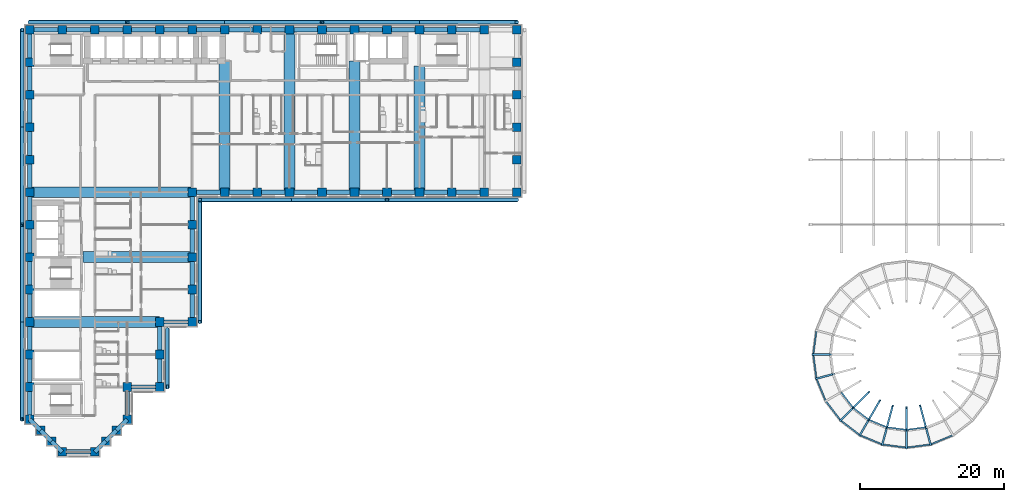
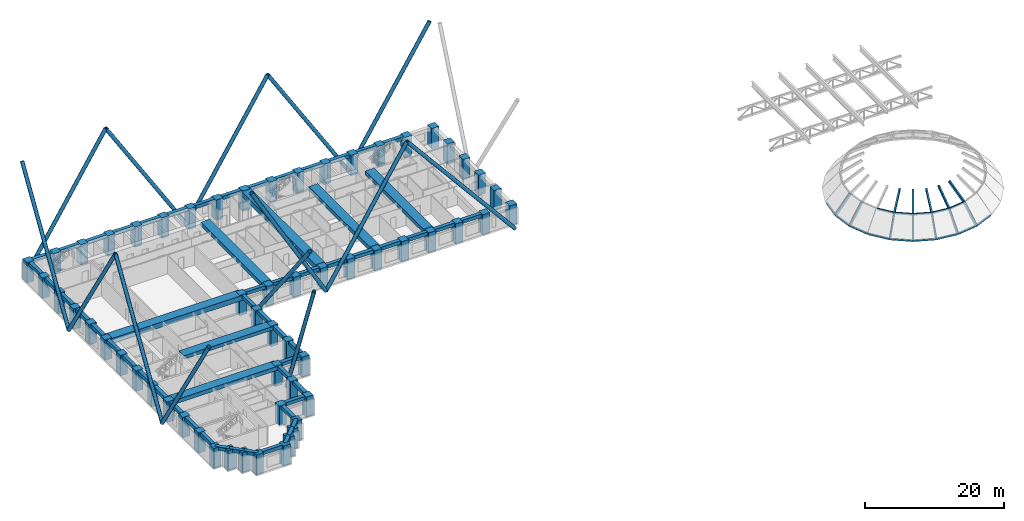
# One storey, part 1 of 20: 84 beams, 58 columns, 14 members.
"""IFC4 building model written with IfcOpenShell, lengths in metres."""

import ifcopenshell
import ifcopenshell.guid

model = None  # the IFC model being written
_history = None  # IfcOwnerHistory: only IFC2X3 demands one
_inside = {}  # id of a spatial element -> (the spatial element, [elements in it])
_under = {}  # id of a project, library or spatial element -> (it, [spatial elements below it])
_declared = {}  # id of a project -> (the project, [libraries it declares])
_typed = {}  # id of a type object -> (the type object, [elements of that type])
_made_of = {}  # id of a material, layer set ... -> (it, [elements and type objects made of it])


def new_model(schema):
    """Start an empty IFC model of exactly this schema.

    Asked for "IFC4X3", IfcOpenShell would pick the latest addendum, in which some entities
    have other attributes; the version numbers below select the first issue.
    IFC2X3 requires an IfcOwnerHistory on every rooted entity: one is made here for all.
    """
    global model, _history
    if schema == "IFC4X3":
        model = ifcopenshell.file(schema_version=(4, 3, 0, 0))
    else:
        model = ifcopenshell.file(schema=schema)
    _inside.clear()
    _under.clear()
    _declared.clear()
    _typed.clear()
    _made_of.clear()
    _history = None
    if model.schema == "IFC2X3":
        org = make("IfcOrganization", Name="unknown")
        user = make(
            "IfcPersonAndOrganization",
            ThePerson=make("IfcPerson", FamilyName="unknown"),
            TheOrganization=org,
        )
        app = make(
            "IfcApplication",
            ApplicationDeveloper=org,
            Version="unknown",
            ApplicationFullName="unknown",
            ApplicationIdentifier="unknown",
        )
        _history = make(
            "IfcOwnerHistory",
            OwningUser=user,
            OwningApplication=app,
            ChangeAction="ADDED",
            CreationDate=0,
        )
    return model


def make(cls, **values):
    """One entity of the class cls with the attributes given. An attribute that is None is left unset."""
    return model.create_entity(
        cls, **{name: value for name, value in values.items() if value is not None}
    )


def rooted(cls, **values):
    """An entity with a GlobalId (a new one), such as an element, a storey or a relation."""
    return make(cls, GlobalId=ifcopenshell.guid.new(), OwnerHistory=_history, **values)


def si_unit(unit_type, name, prefix=None):
    """IfcSIUnit, for example si_unit("LENGTHUNIT", "METRE", prefix="MILLI")."""
    return make("IfcSIUnit", UnitType=unit_type, Prefix=prefix, Name=name)


def assignment(units):
    """IfcUnitAssignment: the units of a project."""
    return None if units is None else make("IfcUnitAssignment", Units=units)


def point(xyz):
    """IfcCartesianPoint."""
    return None if xyz is None else make("IfcCartesianPoint", Coordinates=xyz)


def direction(xyz):
    """IfcDirection."""
    return None if xyz is None else make("IfcDirection", DirectionRatios=xyz)


def frame(location, z_axis=None, x_axis=None):
    """IfcAxis2Placement3D, a coordinate frame: its origin and axes. An axis left out is left unset."""
    return make(
        "IfcAxis2Placement3D",
        Location=point(location),
        Axis=direction(z_axis),
        RefDirection=direction(x_axis),
    )


def frame_2d(location, x_axis=None):
    """IfcAxis2Placement2D, a coordinate frame in the plane: its origin and x axis."""
    return make(
        "IfcAxis2Placement2D", Location=point(location), RefDirection=direction(x_axis)
    )


def origin():
    """The frame at (0, 0, 0) with its axes left unset."""
    return frame((0.0, 0.0, 0.0))


def origin_2d():
    """The frame at (0, 0) in the plane with its x axis left unset."""
    return frame_2d((0.0, 0.0))


def place(relative_to, where):
    """IfcLocalPlacement: puts the frame where relative to a parent placement (None: the world)."""
    return make(
        "IfcLocalPlacement", PlacementRelTo=relative_to, RelativePlacement=where
    )


def context(
    kind, dimensions, precision=None, world=None, true_north=None, identifier=None
):
    """IfcGeometricRepresentationContext, for example the 3D "Model" context."""
    return make(
        "IfcGeometricRepresentationContext",
        ContextIdentifier=identifier,
        ContextType=kind,
        CoordinateSpaceDimension=dimensions,
        Precision=precision,
        WorldCoordinateSystem=world,
        TrueNorth=true_north,
    )


def subcontext(parent, identifier, kind, view, scale=None):
    """IfcGeometricRepresentationSubContext, for example "Body" below "Model"."""
    return make(
        "IfcGeometricRepresentationSubContext",
        ContextIdentifier=identifier,
        ContextType=kind,
        ParentContext=parent,
        TargetScale=scale,
        TargetView=view,
    )


def project(units=None, contexts=None):
    """IfcProject with its units and contexts."""
    return rooted(
        "IfcProject",
        Name="project",
        RepresentationContexts=contexts,
        UnitsInContext=assignment(units),
    )


def spatial(cls, under=None, at=None, **own):
    """A site, building, storey or space (cls), placed at a placement, below another one or the project."""
    s = rooted(cls, ObjectPlacement=at, **own)
    if under is not None:
        _under.setdefault(under.id(), (under, []))[1].append(s)
    return s


def profile(cls, at=None, kind="AREA", **sizes):
    """A parametric profile (cls). Its sizes go by their IFC names, for example OverallWidth=200.0."""
    return make(cls, ProfileType=kind, Position=at, **sizes)


def rectangle(**sizes):
    """IfcRectangleProfileDef."""
    return profile("IfcRectangleProfileDef", **sizes)


def hollow_rectangle(**sizes):
    """IfcRectangleHollowProfileDef."""
    return profile("IfcRectangleHollowProfileDef", **sizes)


def hollow_circle(**sizes):
    """IfcCircleHollowProfileDef."""
    return profile("IfcCircleHollowProfileDef", **sizes)


def extrude(swept, where, along, depth):
    """IfcExtrudedAreaSolid: the profile swept, set in the frame where, extruded along a direction by depth."""
    return make(
        "IfcExtrudedAreaSolid",
        SweptArea=swept,
        Position=where,
        ExtrudedDirection=direction(along),
        Depth=depth,
    )


def shape(context_of_items, identifier, shape_type, items):
    """IfcShapeRepresentation: the items that make up one representation, for example the "Body"."""
    return make(
        "IfcShapeRepresentation",
        ContextOfItems=context_of_items,
        RepresentationIdentifier=identifier,
        RepresentationType=shape_type,
        Items=items,
    )


def material(Name=None, Category=None):
    """IfcMaterial."""
    return make("IfcMaterial", Name=Name, Category=Category)


def material_profile(
    of_material, cross_section, Name=None, Category=None, Priority=None
):
    """IfcMaterialProfile: a cross section and its material."""
    return make(
        "IfcMaterialProfile",
        Name=Name,
        Material=of_material,
        Profile=cross_section,
        Priority=Priority,
        Category=Category,
    )


def profile_set(profiles, Name=None, composite=None):
    """IfcMaterialProfileSet."""
    return make(
        "IfcMaterialProfileSet",
        Name=Name,
        MaterialProfiles=profiles,
        CompositeProfile=composite,
    )


def made_of(thing, what):
    """Note that an element or type object is made of a material, layer set ...; save() writes the relation."""
    if what is not None:
        _made_of.setdefault(what.id(), (what, []))[1].append(thing)
    return thing


def type_object(cls, material=None, **own):
    """A type object (cls), such as IfcWallType, which elements share."""
    return made_of(rooted(cls, **own), material)


def element(
    cls,
    number,
    at=None,
    inside=None,
    cuts=None,
    type_object=None,
    material=None,
    context=None,
    identifier="Body",
    shape_type=None,
    held_by="IfcProductDefinitionShape",
    body=None,
    shapes=None,
    **own,
):
    """One element of the class cls, such as IfcWall. Its Tag is "e" and its number.

    at: its placement. inside: the storey or other place that contains it. cuts: it is an
    opening in that element (IfcRelVoidsElement). A single representation is given by context,
    identifier, shape_type and body (its items); several are given by shapes. held_by: the class
    of the entity that holds the representations. save() writes the other relations.
    """
    e = rooted(cls, Tag="e%d" % number, ObjectPlacement=at, **own)
    if body is not None:
        shapes = [shape(context, identifier, shape_type, body)]
    if shapes is not None:
        e.Representation = make(held_by, Representations=shapes)
    if inside is not None:
        _inside.setdefault(inside.id(), (inside, []))[1].append(e)
    if cuts is not None:
        rooted(
            "IfcRelVoidsElement", RelatingBuildingElement=cuts, RelatedOpeningElement=e
        )
    if type_object is not None:
        _typed.setdefault(type_object.id(), (type_object, []))[1].append(e)
    return made_of(e, material)


def aggregate(whole, parts):
    """IfcRelAggregates: a whole, such as a stair, and the parts it consists of."""
    return rooted("IfcRelAggregates", RelatingObject=whole, RelatedObjects=parts)


def save(model, path):
    """Write the relations noted so far, then the file.

    IfcRelAggregates (storeys below a building ...), IfcRelContainedInSpatialStructure (elements
    in a storey), IfcRelDefinesByType, IfcRelAssociatesMaterial and IfcRelDeclares: one each for
    every whole, place, type object, material and project.
    """
    for whole, parts in _under.values():
        aggregate(whole, parts)
    for where, things in _inside.values():
        rooted(
            "IfcRelContainedInSpatialStructure",
            RelatedElements=things,
            RelatingStructure=where,
        )
    for kind, things in _typed.values():
        rooted("IfcRelDefinesByType", RelatedObjects=things, RelatingType=kind)
    for what, things in _made_of.values():
        rooted("IfcRelAssociatesMaterial", RelatedObjects=things, RelatingMaterial=what)
    for by, libraries in _declared.values():
        rooted("IfcRelDeclares", RelatingContext=by, RelatedDefinitions=libraries)
    model.write(path)


model = new_model("IFC4")

# Units and contexts
model_context = context("Model", 3, precision=1e-05, world=origin(), true_north=direction((0.0, 1.0)))
body_context = subcontext(model_context, "Body", "Model", "MODEL_VIEW")
ifc_project = project(units=[si_unit("LENGTHUNIT", "METRE"), si_unit("AREAUNIT", "SQUARE_METRE"), si_unit("VOLUMEUNIT", "CUBIC_METRE"), si_unit("PLANEANGLEUNIT", "RADIAN"), si_unit("MASSUNIT", "GRAM", prefix="KILO")], contexts=[model_context])

# Site, building, storey
site_placement = place(None, origin())
site = spatial("IfcSite", under=ifc_project, at=site_placement, CompositionType="ELEMENT")
building_placement = place(site_placement, origin())
building = spatial("IfcBuilding", under=site, at=building_placement, Name="Firuza Court", CompositionType="ELEMENT")
storey_placement = place(building_placement, frame((0.0, 0.0, 29.0)))
storey = spatial("IfcBuildingStorey", under=building, at=storey_placement, Name="L05", CompositionType="ELEMENT", Elevation=29.0)

# Columns
ifc_material_1 = material(Name="Concrete C70/85", Category="concrete")
ifc_material_profile_1 = material_profile(ifc_material_1, rectangle(XDim=1.199951171875, YDim=1.199951171875, at=origin_2d()), Name="RC 1200x1200")
ifc_profile_set_1 = profile_set([ifc_material_profile_1], Name="Concrete C70/85")
column_type = type_object("IfcColumnType", Name="Tube column RC 1200x1200 C70/85", PredefinedType="COLUMN", material=ifc_profile_set_1)
for number, where, z_axis, x_axis, name in (
    (1, (4.5, 0.0, -0.300048828125), (0.0, 0.0, 1.0), (1.0, 0.0, 0.0), "Column C-2D L05"),
    (2, (9.0, 0.0, -0.300048828125), (0.0, 0.0, 1.0), (1.0, 0.0, 0.0), "Column C-3D L05"),
    (3, (3.0, 1.5, -0.300048828125), (0.0, 0.0, 1.0), (1.0, 0.0, 0.0), "Column C-SA1 L05"),
    (4, (10.5, 1.5, -0.300048828125), (0.0, 0.0, 1.0), (1.0, 0.0, 0.0), "Column C-SA2 L05"),
    (5, (1.5, 3.0, -0.300048828125), (0.0, 0.0, 1.0), (1.0, 0.0, 0.0), "Column C-SA3 L05"),
    (6, (12.0, 3.0, -0.300048828125), (0.0, 0.0, 1.0), (1.0, 0.0, 0.0), "Column C-SA4 L05"),
    (7, (0.0, 4.5, -0.300048828125), (0.0, 0.0, 1.0), (1.0, 0.0, 0.0), "Column C-1E L05"),
    (8, (13.5, 4.5, -0.300048828125), (0.0, 0.0, 1.0), (1.0, 0.0, 0.0), "Column C-4E L05"),
    (9, (0.0, 9.0, -0.300048828125), (0.0, 0.0, 1.0), (1.0, 0.0, 0.0), "Column C-1F L05"),
    (10, (13.5, 9.0, -0.300048828125), (0.0, 0.0, 1.0), (1.0, 0.0, 0.0), "Column C-4F L05"),
    (11, (18.0, 9.0, -0.300048828125), (0.0, 0.0, 1.0), (1.0, 0.0, 0.0), "Column C-5F L05"),
    (12, (0.0, 13.5, -0.300048828125), (0.0, 0.0, 1.0), (1.0, 0.0, 0.0), "Column C-1G L05"),
    (13, (18.0, 13.5, -0.300048828125), (0.0, 0.0, 1.0), (1.0, 0.0, 0.0), "Column C-5G L05"),
    (14, (0.0, 18.0, -0.300048828125), (0.0, 0.0, 1.0), (1.0, 0.0, 0.0), "Column C-1H L05"),
    (15, (18.0, 18.0, -0.300048828125), (0.0, 0.0, 1.0), (1.0, 0.0, 0.0), "Column C-5H L05"),
    (16, (22.5, 18.0, -0.300048828125), (0.0, 0.0, 1.0), (1.0, 0.0, 0.0), "Column C-6H L05"),
    (17, (0.0, 22.5, -0.300048828125), (0.0, 0.0, 1.0), (1.0, 0.0, 0.0), "Column C-1J L05"),
    (18, (22.5, 22.5, -0.300048828125), (0.0, 0.0, 1.0), (1.0, 0.0, 0.0), "Column C-6J L05"),
    (19, (0.0, 27.0, -0.300048828125), (0.0, 0.0, 1.0), (1.0, 0.0, 0.0), "Column C-1K L05"),
    (20, (22.5, 27.0, -0.300048828125), (0.0, 0.0, 1.0), (1.0, 0.0, 0.0), "Column C-6K L05"),
    (21, (0.0, 31.5, -0.300048828125), (0.0, 0.0, 1.0), (1.0, 0.0, 0.0), "Column C-1L L05"),
    (22, (22.5, 31.5, -0.300048828125), (0.0, 0.0, 1.0), (1.0, 0.0, 0.0), "Column C-6L L05"),
    (23, (0.0, 36.0, -0.300048828125), (0.0, 0.0, 1.0), (1.0, 0.0, 0.0), "Column C-1M L05"),
    (24, (22.5, 36.0, -0.300048828125), (0.0, 0.0, 1.0), (1.0, 0.0, 0.0), "Column C-6M L05"),
    (25, (27.0, 36.0, -0.300048828125), (0.0, 0.0, 1.0), (1.0, 0.0, 0.0), "Column C-7M L05"),
    (26, (31.5, 36.0, -0.300048828125), (0.0, 0.0, 1.0), (1.0, 0.0, 0.0), "Column C-8M L05"),
    (27, (36.0, 36.0, -0.300048828125), (0.0, 0.0, 1.0), (1.0, 0.0, 0.0), "Column C-9M L05"),
    (28, (40.5, 36.0, -0.300048828125), (0.0, 0.0, 1.0), (1.0, 0.0, 0.0), "Column C-10M L05"),
    (29, (45.0, 36.0, -0.300048828125), (0.0, 0.0, 1.0), (1.0, 0.0, 0.0), "Column C-11M L05"),
    (30, (49.5, 36.0, -0.300048828125), (0.0, 0.0, 1.0), (1.0, 0.0, 0.0), "Column C-12M L05"),
    (31, (54.0, 36.0, -0.300048828125), (0.0, 0.0, 1.0), (1.0, 0.0, 0.0), "Column C-13M L05"),
    (32, (58.5, 36.0, -0.300048828125), (0.0, 0.0, 1.0), (1.0, 0.0, 0.0), "Column C-14M L05"),
    (33, (63.0, 36.0, -0.300048828125), (0.0, 0.0, 1.0), (1.0, 0.0, 0.0), "Column C-15M L05"),
    (34, (67.5, 36.0, -0.300048828125), (0.0, 0.0, 1.0), (1.0, 0.0, 0.0), "Column C-16M L05"),
    (35, (0.0, 40.5, -0.300048828125), (0.0, 0.0, 1.0), (1.0, 0.0, 0.0), "Column C-1N L05"),
    (36, (67.5, 40.5, -0.300048828125), (0.0, 0.0, 1.0), (1.0, 0.0, 0.0), "Column C-16N L05"),
    (37, (0.0, 45.0, -0.300048828125), (0.0, 0.0, 1.0), (1.0, 0.0, 0.0), "Column C-1P L05"),
    (38, (67.5, 45.0, -0.300048828125), (0.0, 0.0, 1.0), (1.0, 0.0, 0.0), "Column C-16P L05"),
    (39, (0.0, 49.5, -0.300048828125), (0.0, 0.0, 1.0), (1.0, 0.0, 0.0), "Column C-1Q L05"),
    (40, (67.5, 49.5, -0.300048828125), (0.0, 0.0, 1.0), (1.0, 0.0, 0.0), "Column C-16Q L05"),
    (41, (0.0, 54.0, -0.300048828125), (0.0, 0.0, 1.0), (1.0, 0.0, 0.0), "Column C-1R L05"),
    (42, (67.5, 54.0, -0.300048828125), (0.0, 0.0, 1.0), (1.0, 0.0, 0.0), "Column C-16R L05"),
    (43, (0.0, 58.5, -0.300048828125), (0.0, 0.0, 1.0), (1.0, 0.0, 0.0), "Column C-1S L05"),
    (44, (4.5, 58.5, -0.300048828125), (0.0, 0.0, 1.0), (1.0, 0.0, 0.0), "Column C-2S L05"),
    (45, (9.0, 58.5, -0.300048828125), (0.0, 0.0, 1.0), (1.0, 0.0, 0.0), "Column C-3S L05"),
    (46, (13.5, 58.5, -0.300048828125), (0.0, 0.0, 1.0), (1.0, 0.0, 0.0), "Column C-4S L05"),
    (47, (18.0, 58.5, -0.300048828125), (0.0, 0.0, 1.0), (1.0, 0.0, 0.0), "Column C-5S L05"),
    (48, (22.5, 58.5, -0.300048828125), (0.0, 0.0, 1.0), (1.0, 0.0, 0.0), "Column C-6S L05"),
    (49, (27.0, 58.5, -0.300048828125), (0.0, 0.0, 1.0), (1.0, 0.0, 0.0), "Column C-7S L05"),
    (50, (31.5, 58.5, -0.300048828125), (0.0, 0.0, 1.0), (1.0, 0.0, 0.0), "Column C-8S L05"),
    (51, (36.0, 58.5, -0.300048828125), (0.0, 0.0, 1.0), (1.0, 0.0, 0.0), "Column C-9S L05"),
    (52, (40.5, 58.5, -0.300048828125), (0.0, 0.0, 1.0), (1.0, 0.0, 0.0), "Column C-10S L05"),
    (53, (45.0, 58.5, -0.300048828125), (0.0, 0.0, 1.0), (1.0, 0.0, 0.0), "Column C-11S L05"),
    (54, (49.5, 58.5, -0.300048828125), (0.0, 0.0, 1.0), (1.0, 0.0, 0.0), "Column C-12S L05"),
    (55, (54.0, 58.5, -0.300048828125), (0.0, 0.0, 1.0), (1.0, 0.0, 0.0), "Column C-13S L05"),
    (56, (58.5, 58.5, -0.300048828125), (0.0, 0.0, 1.0), (1.0, 0.0, 0.0), "Column C-14S L05"),
    (57, (63.0, 58.5, -0.300048828125), (0.0, 0.0, 1.0), (1.0, 0.0, 0.0), "Column C-15S L05"),
    (58, (67.5, 58.5, -0.300048828125), (0.0, 0.0, 1.0), (1.0, 0.0, 0.0), "Column C-16S L05"),
):
    element("IfcColumn", number, at=place(storey_placement, frame(where, z_axis=z_axis, x_axis=x_axis)), inside=storey, type_object=column_type, Name=name, PredefinedType="COLUMN", context=body_context, shape_type="SweptSolid", body=[
        extrude(rectangle(XDim=1.199951171875, YDim=1.199951171875, at=origin_2d()), origin(), (0.0, 0.0, 1.0), 3.60009765625),
    ])

# Beams
ifc_material_2 = material(Name="Concrete C40/50", Category="concrete")
ifc_material_profile_2 = material_profile(ifc_material_2, rectangle(XDim=1.5, YDim=0.60009765625, at=origin_2d()), Name="RC 1500x600")
ifc_profile_set_2 = profile_set([ifc_material_profile_2], Name="Concrete C40/50")
beam_type_1 = type_object("IfcBeamType", Name="Band beam RC 1500x600 C40/50", PredefinedType="BEAM", material=ifc_profile_set_2)
beam_1_placement = place(storey_placement, frame((22.5, 27.0, 3.0), z_axis=(-1.0, 0.0, 0.0), x_axis=(0.0, -1.0, 0.0)))
element("IfcBeam", 59, at=beam_1_placement, inside=storey, type_object=beam_type_1, Name="Band beam FB3 level L06", PredefinedType="BEAM", context=body_context, shape_type="SweptSolid", body=[
    extrude(rectangle(XDim=1.5, YDim=0.60009765625, at=origin_2d()), origin(), (0.0, 0.0, 1.0), 15.14990234375),
])
ifc_material_3 = material(Name="Concrete C40/50", Category="concrete")
ifc_material_profile_3 = material_profile(ifc_material_3, rectangle(XDim=1.5, YDim=0.699951171875, at=origin_2d()), Name="RC 1500x700")
ifc_profile_set_3 = profile_set([ifc_material_profile_3], Name="Concrete C40/50")
beam_type_2 = type_object("IfcBeamType", Name="Band beam RC 1500x700 C40/50", PredefinedType="BEAM", material=ifc_profile_set_3)
beam_2_placement = place(storey_placement, frame((0.0, 18.0, 2.949951171875), z_axis=(1.0, 0.0, 0.0), x_axis=(0.0, 1.0, 0.0)))
element("IfcBeam", 60, at=beam_2_placement, inside=storey, type_object=beam_type_2, Name="Band beam FB1 level L06", PredefinedType="BEAM", context=body_context, shape_type="SweptSolid", body=[
    extrude(rectangle(XDim=1.5, YDim=0.699951171875, at=origin_2d()), origin(), (0.0, 0.0, 1.0), 18.0),
])
for number, where, z_axis, x_axis, name in (
    (61, (27.0, 36.0, 2.949951171875), (0.0, 1.0, 0.0), (-1.0, 0.0, 0.0), "Band beam FB1 level L06"),
    (62, (45.0, 36.0, 2.949951171875), (0.0, 1.0, 0.0), (-1.0, 0.0, 0.0), "Band beam FB1 level L06"),
):
    element("IfcBeam", number, at=place(storey_placement, frame(where, z_axis=z_axis, x_axis=x_axis)), inside=storey, type_object=beam_type_2, Name=name, PredefinedType="BEAM", context=body_context, shape_type="SweptSolid", body=[
        extrude(rectangle(XDim=1.5, YDim=0.699951171875, at=origin_2d()), origin(), (0.0, 0.0, 1.0), 18.199951171875),
    ])
beam_3_placement = place(storey_placement, frame((54.0, 36.0, 2.949951171875), z_axis=(0.0, 1.0, 0.0), x_axis=(-1.0, 0.0, 0.0)))
element("IfcBeam", 63, at=beam_3_placement, inside=storey, type_object=beam_type_2, Name="Band beam FB1 level L06", PredefinedType="BEAM", context=body_context, shape_type="SweptSolid", body=[
    extrude(rectangle(XDim=1.5, YDim=0.699951171875, at=origin_2d()), origin(), (0.0, 0.0, 1.0), 17.5),
])
ifc_material_4 = material(Name="Concrete C40/50", Category="concrete")
ifc_material_profile_4 = material_profile(ifc_material_4, rectangle(XDim=1.5, YDim=0.89990234375, at=origin_2d()), Name="RC 1500x900")
ifc_profile_set_4 = profile_set([ifc_material_profile_4], Name="Concrete C40/50")
beam_type_3 = type_object("IfcBeamType", Name="Band beam RC 1500x900 C40/50", PredefinedType="BEAM", material=ifc_profile_set_4)
for number, where, z_axis, x_axis, name in (
    (64, (0.0, 36.0, 2.85009765625), (1.0, 0.0, 0.0), (0.0, 1.0, 0.0), "Band beam FB2 level L06"),
    (65, (36.0, 36.0, 2.85009765625), (0.0, 1.0, 0.0), (-1.0, 0.0, 0.0), "Band beam FB2 level L06"),
):
    element("IfcBeam", number, at=place(storey_placement, frame(where, z_axis=z_axis, x_axis=x_axis)), inside=storey, type_object=beam_type_3, Name=name, PredefinedType="BEAM", context=body_context, shape_type="SweptSolid", body=[
        extrude(rectangle(XDim=1.5, YDim=0.89990234375, at=origin_2d()), origin(), (0.0, 0.0, 1.0), 22.5),
    ])
ifc_material_5 = material(Name="Steel S355", Category="steel")
ifc_material_profile_5 = material_profile(ifc_material_5, hollow_rectangle(XDim=0.25, YDim=0.39990234375, WallThickness=0.01611328125, at=origin_2d()), Name="RHS 400X250X16")
ifc_profile_set_5 = profile_set([ifc_material_profile_5], Name="Steel S355")
beam_type_4 = type_object("IfcBeamType", Name="DOME RIB 250X400", PredefinedType="BEAM", material=ifc_profile_set_5)
for number, where, z_axis, x_axis, name in (
    (66, (108.589599609375, 13.5, 0.427978515625), (0.645219939947, 0.0, 0.763996877674), (0.0, 1.0, 0.0), "RIB 13.1"),
    (67, (109.029541015625, 10.158447265625, 0.427978515625), (0.623254932935, 0.167026931991, 0.763973358542), (-0.25885703941, 0.965915644944, 0.0), "RIB 14.1"),
):
    element("IfcBeam", number, at=place(storey_placement, frame(where, z_axis=z_axis, x_axis=x_axis)), inside=storey, type_object=beam_type_4, Name=name, PredefinedType="BEAM", context=body_context, shape_type="SweptSolid", body=[
        extrude(hollow_rectangle(XDim=0.25, YDim=0.39990234375, WallThickness=0.01611328125, at=origin_2d()), origin(), (0.0, 0.0, 1.0), 3.8046875),
    ])
beam_4_placement = place(storey_placement, frame((112.370849609375, 4.370849609375, 0.427978515625), z_axis=(0.456278393703, 0.456278393703, 0.76395029608), x_axis=(-0.707106781187, 0.707106781187, 0.0)))
element("IfcBeam", 68, at=beam_4_placement, inside=storey, type_object=beam_type_4, Name="RIB 16.1", PredefinedType="BEAM", context=body_context, shape_type="SweptSolid", body=[
    extrude(hollow_rectangle(XDim=0.25, YDim=0.39990234375, WallThickness=0.01611328125, at=origin_2d()), origin(), (0.0, 0.0, 1.0), 3.804931640625),
])
beam_5_placement = place(storey_placement, frame((114.11962890625, 6.11962890625, 3.3515625), z_axis=(0.575088247108, 0.575088247108, 0.58184793209), x_axis=(-0.707106781187, 0.707106781187, 0.0)))
element("IfcBeam", 69, at=beam_5_placement, inside=storey, type_object=beam_type_4, Name="RIB 16.2", PredefinedType="BEAM", context=body_context, shape_type="SweptSolid", body=[
    extrude(hollow_rectangle(XDim=0.25, YDim=0.39990234375, WallThickness=0.01611328125, at=origin_2d()), origin(), (0.0, 0.0, 1.0), 3.792236328125),
])
beam_6_placement = place(storey_placement, frame((115.044677734375, 2.3193359375, 0.427978515625), z_axis=(0.322637389463, 0.558776131154, 0.763985831134), x_axis=(-0.866006720078, 0.500032359733, 0.0)))
element("IfcBeam", 70, at=beam_6_placement, inside=storey, type_object=beam_type_4, Name="RIB 17.1", PredefinedType="BEAM", context=body_context, shape_type="SweptSolid", body=[
    extrude(hollow_rectangle(XDim=0.25, YDim=0.39990234375, WallThickness=0.01611328125, at=origin_2d()), origin(), (0.0, 0.0, 1.0), 3.8046875),
])
beam_7_placement = place(storey_placement, frame((116.28125, 4.4609375, 3.3515625), z_axis=(0.406664575717, 0.704340212589, 0.581832267743), x_axis=(-0.866018181901, 0.500012508461, 0.0)))
element("IfcBeam", 71, at=beam_7_placement, inside=storey, type_object=beam_type_4, Name="RIB 17.2", PredefinedType="BEAM", context=body_context, shape_type="SweptSolid", body=[
    extrude(hollow_rectangle(XDim=0.25, YDim=0.39990234375, WallThickness=0.01611328125, at=origin_2d()), origin(), (0.0, 0.0, 1.0), 3.79248046875),
])
beam_8_placement = place(storey_placement, frame((118.158447265625, 1.029541015625, 0.427978515625), z_axis=(0.167026931991, 0.623254932935, 0.763973358542), x_axis=(-0.965915644944, 0.25885703941, 0.0)))
element("IfcBeam", 72, at=beam_8_placement, inside=storey, type_object=beam_type_4, Name="RIB 18.1", PredefinedType="BEAM", context=body_context, shape_type="SweptSolid", body=[
    extrude(hollow_rectangle(XDim=0.25, YDim=0.39990234375, WallThickness=0.01611328125, at=origin_2d()), origin(), (0.0, 0.0, 1.0), 3.8046875),
])
beam_9_placement = place(storey_placement, frame((118.798583984375, 3.418212890625, 3.3515625), z_axis=(0.210511920504, 0.78558928621, 0.581836922787), x_axis=(-0.965921551724, 0.258834997471, 0.0)))
element("IfcBeam", 73, at=beam_9_placement, inside=storey, type_object=beam_type_4, Name="RIB 18.2", PredefinedType="BEAM", context=body_context, shape_type="SweptSolid", body=[
    extrude(hollow_rectangle(XDim=0.25, YDim=0.39990234375, WallThickness=0.01611328125, at=origin_2d()), origin(), (0.0, 0.0, 1.0), 3.79248046875),
])
beam_10_placement = place(storey_placement, frame((121.5, 0.589599609375, 0.427978515625), z_axis=(0.0, 0.645219939947, 0.763996877674), x_axis=(-1.0, 0.0, 0.0)))
element("IfcBeam", 74, at=beam_10_placement, inside=storey, type_object=beam_type_4, Name="RIB 19.1", PredefinedType="BEAM", context=body_context, shape_type="SweptSolid", body=[
    extrude(hollow_rectangle(XDim=0.25, YDim=0.39990234375, WallThickness=0.01611328125, at=origin_2d()), origin(), (0.0, 0.0, 1.0), 3.8046875),
])
beam_11_placement = place(storey_placement, frame((121.5, 3.062744140625, 3.3515625), z_axis=(0.0, 0.813293898818, 0.581853103579), x_axis=(-1.0, 0.0, 0.0)))
element("IfcBeam", 75, at=beam_11_placement, inside=storey, type_object=beam_type_4, Name="RIB 19.2", PredefinedType="BEAM", context=body_context, shape_type="SweptSolid", body=[
    extrude(hollow_rectangle(XDim=0.25, YDim=0.39990234375, WallThickness=0.01611328125, at=origin_2d()), origin(), (0.0, 0.0, 1.0), 3.792236328125),
])
beam_12_placement = place(storey_placement, frame((124.841552734375, 1.029541015625, 0.427978515625), z_axis=(-0.167026931991, 0.623254932935, 0.763973358542), x_axis=(-0.965915644944, -0.25885703941, 0.0)))
element("IfcBeam", 76, at=beam_12_placement, inside=storey, type_object=beam_type_4, Name="RIB 20.1", PredefinedType="BEAM", context=body_context, shape_type="SweptSolid", body=[
    extrude(hollow_rectangle(XDim=0.25, YDim=0.39990234375, WallThickness=0.01611328125, at=origin_2d()), origin(), (0.0, 0.0, 1.0), 3.8046875),
])
beam_13_placement = place(storey_placement, frame((124.201416015625, 3.418212890625, 3.3515625), z_axis=(-0.210511920504, 0.78558928621, 0.581836922787), x_axis=(-0.965921551724, -0.258834997471, 0.0)))
element("IfcBeam", 77, at=beam_13_placement, inside=storey, type_object=beam_type_4, Name="RIB 20.2", PredefinedType="BEAM", context=body_context, shape_type="SweptSolid", body=[
    extrude(hollow_rectangle(XDim=0.25, YDim=0.39990234375, WallThickness=0.01611328125, at=origin_2d()), origin(), (0.0, 0.0, 1.0), 3.79248046875),
])
ifc_material_6 = material(Name="Steel S355", Category="steel")
ifc_material_profile_6 = material_profile(ifc_material_6, hollow_rectangle(XDim=0.199951171875, YDim=0.300048828125, WallThickness=0.010009765625, at=origin_2d()), Name="RHS 300X200X10")
ifc_profile_set_6 = profile_set([ifc_material_profile_6], Name="Steel S355")
beam_type_5 = type_object("IfcBeamType", Name="DOME RING MEMBER 200X300", PredefinedType="BEAM", material=ifc_profile_set_6)
for number, where, z_axis, x_axis, name in (
    (78, (109.024169921875, 16.8017578125, 0.427978515625), (-0.130515932273, -0.991446212068, 0.0), (0.991446212068, -0.130515932273, 0.0), "Dome ring member 0.12"),
    (79, (108.5947265625, 13.46044921875, 0.427978515625), (0.130515932273, -0.991446212068, 0.0), (0.991446212068, 0.130515932273, 0.0), "Dome ring member 0.13"),
    (80, (109.044677734375, 10.12158203125, 0.427978515625), (0.382723138046, -0.92386308488, 0.0), (0.92386308488, 0.382723138046, 0.0), "Dome ring member 0.14"),
    (81, (110.343505859375, 7.012939453125, 0.427978515625), (0.608795979936, -0.793326827237, 0.0), (0.793326827237, 0.608795979936, 0.0), "Dome ring member 0.15"),
    (82, (112.402587890625, 4.3466796875, 0.427978515625), (0.793326827237, -0.608795979936, 0.0), (0.608795979936, 0.793326827237, 0.0), "Dome ring member 0.16"),
    (83, (115.081787109375, 2.303955078125, 0.427978515625), (0.92386308488, -0.382723138046, 0.0), (0.382723138046, 0.92386308488, 0.0), "Dome ring member 0.17"),
    (84, (118.1982421875, 1.024169921875, 0.427978515625), (0.991446212068, -0.130515932273, 0.0), (0.130515932273, 0.991446212068, 0.0), "Dome ring member 0.18"),
    (85, (121.53955078125, 0.5947265625, 0.427978515625), (0.991446212068, 0.130515932273, 0.0), (-0.130515932273, 0.991446212068, 0.0), "Dome ring member 0.19"),
    (86, (124.87841796875, 1.044677734375, 0.427978515625), (0.92386308488, 0.382723138046, 0.0), (-0.382723138046, 0.92386308488, 0.0), "Dome ring member 0.20"),
):
    element("IfcBeam", number, at=place(storey_placement, frame(where, z_axis=z_axis, x_axis=x_axis)), inside=storey, type_object=beam_type_5, Name=name, PredefinedType="BEAM", context=body_context, shape_type="SweptSolid", body=[
        extrude(hollow_rectangle(XDim=0.199951171875, YDim=0.300048828125, WallThickness=0.010009765625, at=origin_2d()), origin(), (0.0, 0.0, 1.0), 3.290283203125),
    ])
for number, where, z_axis, x_axis, name in (
    (87, (112.4765625, 8.24462890625, 3.34423828125), (0.608743198513, -0.793367328709, 0.0), (0.793367328709, 0.608743198513, 0.0), "Dome ring member 1.15"),
    (88, (114.144287109375, 6.088134765625, 3.34423828125), (0.793367328709, -0.608743198513, 0.0), (0.608743198513, 0.793367328709, 0.0), "Dome ring member 1.16"),
    (89, (116.313232421875, 4.43701171875, 3.34423828125), (0.923866211796, -0.382715589834, 0.0), (0.382715589834, 0.923866211796, 0.0), "Dome ring member 1.17"),
    (90, (118.835693359375, 3.4033203125, 3.34423828125), (0.991449586628, -0.130490295329, 0.0), (0.130490295329, 0.991449586628, 0.0), "Dome ring member 1.18"),
    (91, (121.53955078125, 3.057861328125, 3.34423828125), (0.991449586628, 0.130490295329, 0.0), (-0.130490295329, 0.991449586628, 0.0), "Dome ring member 1.19"),
):
    element("IfcBeam", number, at=place(storey_placement, frame(where, z_axis=z_axis, x_axis=x_axis)), inside=storey, type_object=beam_type_5, Name=name, PredefinedType="BEAM", context=body_context, shape_type="SweptSolid", body=[
        extrude(hollow_rectangle(XDim=0.199951171875, YDim=0.300048828125, WallThickness=0.010009765625, at=origin_2d()), origin(), (0.0, 0.0, 1.0), 2.6474609375),
    ])

# Members
ifc_material_7 = material(Name="Steel S355", Category="steel")
ifc_material_profile_7 = material_profile(ifc_material_7, hollow_circle(Radius=0.304931640625, WallThickness=0.02490234375, at=origin_2d()), Name="CHS 610x25")
ifc_profile_set_7 = profile_set([ifc_material_profile_7], Name="Steel S355")
member_type = type_object("IfcMemberType", Name="Diagrid diagonal CHS 610x25 S355", PredefinedType="USERDEFINED", material=ifc_profile_set_7)
member_1_placement = place(storey_placement, frame((19.06005859375, 16.93994140625, -0.550048828125), z_axis=(0.0, -0.345016992375, 0.938596438824), x_axis=(1.0, 0.0, 0.0)))
element("IfcMember", 92, at=member_1_placement, inside=storey, type_object=member_type, Name="Diagrid diagonal L05 to L11", ObjectType="DIAGRID", PredefinedType="USERDEFINED", context=body_context, shape_type="SweptSolid", body=[
    extrude(hollow_circle(Radius=0.304931640625, WallThickness=0.02490234375, at=origin_2d()), origin(), (0.0, 0.0, 1.0), 23.01318359375),
])
member_2_placement = place(storey_placement, frame((23.56005859375, 34.93994140625, -0.550048828125), z_axis=(0.0, -0.617110350599, 0.786876620051), x_axis=(1.0, 0.0, 0.0)))
element("IfcMember", 93, at=member_2_placement, inside=storey, type_object=member_type, Name="Diagrid diagonal L05 to L11", ObjectType="DIAGRID", PredefinedType="USERDEFINED", context=body_context, shape_type="SweptSolid", body=[
    extrude(hollow_circle(Radius=0.304931640625, WallThickness=0.02490234375, at=origin_2d()), origin(), (0.0, 0.0, 1.0), 27.450439453125),
])
member_3_placement = place(storey_placement, frame((36.0, 34.93994140625, -0.550048828125), z_axis=(-0.499070546298, 0.0, 0.866561359523), x_axis=(0.0, -1.0, 0.0)))
element("IfcMember", 94, at=member_3_placement, inside=storey, type_object=member_type, Name="Diagrid diagonal L05 to L11", ObjectType="DIAGRID", PredefinedType="USERDEFINED", context=body_context, shape_type="SweptSolid", body=[
    extrude(hollow_circle(Radius=0.304931640625, WallThickness=0.02490234375, at=origin_2d()), origin(), (0.0, 0.0, 1.0), 24.92626953125),
])
member_4_placement = place(storey_placement, frame((36.0, 34.93994140625, -0.550048828125), z_axis=(0.529997216905, 0.0, 0.847999380939), x_axis=(0.0, 1.0, 0.0)))
element("IfcMember", 95, at=member_4_placement, inside=storey, type_object=member_type, Name="Diagrid diagonal L05 to L11", ObjectType="DIAGRID", PredefinedType="USERDEFINED", context=body_context, shape_type="SweptSolid", body=[
    extrude(hollow_circle(Radius=0.304931640625, WallThickness=0.02490234375, at=origin_2d()), origin(), (0.0, 0.0, 1.0), 25.471923828125),
])
member_5_placement = place(storey_placement, frame((67.5, 34.93994140625, -0.550048828125), z_axis=(-0.640182691525, 0.0, 0.768222703044), x_axis=(0.0, -1.0, 0.0)))
element("IfcMember", 96, at=member_5_placement, inside=storey, type_object=member_type, Name="Diagrid diagonal L05 to L11", ObjectType="DIAGRID", PredefinedType="USERDEFINED", context=body_context, shape_type="SweptSolid", body=[
    extrude(hollow_circle(Radius=0.304931640625, WallThickness=0.02490234375, at=origin_2d()), origin(), (0.0, 0.0, 1.0), 28.116943359375),
])
for number, where, z_axis, x_axis, name in (
    (97, (54.0, 59.56005859375, -0.550048828125), (0.529997216905, 0.0, 0.847999380939), (0.0, 1.0, 0.0), "Diagrid diagonal L05 to L11"),
    (98, (54.0, 59.56005859375, -0.550048828125), (-0.529997216905, 0.0, 0.847999380939), (0.0, -1.0, 0.0), "Diagrid diagonal L05 to L11"),
    (99, (27.0, 59.56005859375, -0.550048828125), (0.529997216905, 0.0, 0.847999380939), (0.0, 1.0, 0.0), "Diagrid diagonal L05 to L11"),
    (100, (27.0, 59.56005859375, -0.550048828125), (-0.529997216905, 0.0, 0.847999380939), (0.0, -1.0, 0.0), "Diagrid diagonal L05 to L11"),
    (101, (0.0, 59.56005859375, -0.550048828125), (0.529997216905, 0.0, 0.847999380939), (0.0, 1.0, 0.0), "Diagrid diagonal L05 to L11"),
    (102, (-1.06005859375, 45.0, -0.550048828125), (0.0, 0.529997216905, 0.847999380939), (-1.0, 0.0, 0.0), "Diagrid diagonal L05 to L11"),
    (103, (-1.06005859375, 45.0, -0.550048828125), (0.0, -0.529997216905, 0.847999380939), (1.0, 0.0, 0.0), "Diagrid diagonal L05 to L11"),
    (104, (-1.06005859375, 18.0, -0.550048828125), (0.0, 0.529997216905, 0.847999380939), (-1.0, 0.0, 0.0), "Diagrid diagonal L05 to L11"),
    (105, (-1.06005859375, 18.0, -0.550048828125), (0.0, -0.529997216905, 0.847999380939), (1.0, 0.0, 0.0), "Diagrid diagonal L05 to L11"),
):
    element("IfcMember", number, at=place(storey_placement, frame(where, z_axis=z_axis, x_axis=x_axis)), inside=storey, type_object=member_type, Name=name, ObjectType="DIAGRID", PredefinedType="USERDEFINED", context=body_context, shape_type="SweptSolid", body=[
        extrude(hollow_circle(Radius=0.304931640625, WallThickness=0.02490234375, at=origin_2d()), origin(), (0.0, 0.0, 1.0), 25.471923828125),
    ])

# Beams
ifc_material_8 = material(Name="Concrete C40/50", Category="concrete")
ifc_material_profile_8 = material_profile(ifc_material_8, rectangle(XDim=0.60009765625, YDim=0.60009765625, at=origin_2d()), Name="RC 600x600")
ifc_profile_set_8 = profile_set([ifc_material_profile_8], Name="Concrete C40/50")
beam_type_6 = type_object("IfcBeamType", Name="Spandrel beam RC 600x600 C40/50", PredefinedType="BEAM", material=ifc_profile_set_8)
beam_14_placement = place(storey_placement, frame((0.0, 4.5, 3.0), z_axis=(0.707106781187, -0.707106781187, 0.0), x_axis=(0.707106781187, 0.707106781187, 0.0)))
element("IfcBeam", 106, at=beam_14_placement, inside=storey, type_object=beam_type_6, Name="Spandrel beam SP11 level L06", PredefinedType="BEAM", context=body_context, shape_type="SweptSolid", body=[
    extrude(rectangle(XDim=0.60009765625, YDim=0.60009765625, at=origin_2d()), origin(), (0.0, 0.0, 1.0), 2.121337890625),
])
for number, where, z_axis, x_axis, name in (
    (107, (0.0, 9.0, 3.0), (0.0, -1.0, 0.0), (1.0, 0.0, 0.0), "Spandrel beam SP11 level L06"),
    (108, (0.0, 13.5, 3.0), (0.0, -1.0, 0.0), (1.0, 0.0, 0.0), "Spandrel beam SP11 level L06"),
    (109, (0.0, 18.0, 3.0), (0.0, -1.0, 0.0), (1.0, 0.0, 0.0), "Spandrel beam SP11 level L06"),
    (110, (0.0, 22.5, 3.0), (0.0, -1.0, 0.0), (1.0, 0.0, 0.0), "Spandrel beam SP11 level L06"),
    (111, (0.0, 27.0, 3.0), (0.0, -1.0, 0.0), (1.0, 0.0, 0.0), "Spandrel beam SP11 level L06"),
    (112, (0.0, 31.5, 3.0), (0.0, -1.0, 0.0), (1.0, 0.0, 0.0), "Spandrel beam SP11 level L06"),
    (113, (0.0, 36.0, 3.0), (0.0, -1.0, 0.0), (1.0, 0.0, 0.0), "Spandrel beam SP11 level L06"),
    (114, (0.0, 40.5, 3.0), (0.0, -1.0, 0.0), (1.0, 0.0, 0.0), "Spandrel beam SP11 level L06"),
    (115, (0.0, 45.0, 3.0), (0.0, -1.0, 0.0), (1.0, 0.0, 0.0), "Spandrel beam SP11 level L06"),
    (116, (0.0, 49.5, 3.0), (0.0, -1.0, 0.0), (1.0, 0.0, 0.0), "Spandrel beam SP11 level L06"),
    (117, (0.0, 54.0, 3.0), (0.0, -1.0, 0.0), (1.0, 0.0, 0.0), "Spandrel beam SP11 level L06"),
    (118, (0.0, 58.5, 3.0), (0.0, -1.0, 0.0), (1.0, 0.0, 0.0), "Spandrel beam SP11 level L06"),
):
    element("IfcBeam", number, at=place(storey_placement, frame(where, z_axis=z_axis, x_axis=x_axis)), inside=storey, type_object=beam_type_6, Name=name, PredefinedType="BEAM", context=body_context, shape_type="SweptSolid", body=[
        extrude(rectangle(XDim=0.60009765625, YDim=0.60009765625, at=origin_2d()), origin(), (0.0, 0.0, 1.0), 4.5),
    ])
for number, where, z_axis, x_axis, name in (
    (119, (1.5, 3.0, 3.0), (0.707106781187, -0.707106781187, 0.0), (0.707106781187, 0.707106781187, 0.0), "Spandrel beam SP11 level L06"),
    (120, (3.0, 1.5, 3.0), (0.707106781187, -0.707106781187, 0.0), (0.707106781187, 0.707106781187, 0.0), "Spandrel beam SP11 level L06"),
):
    element("IfcBeam", number, at=place(storey_placement, frame(where, z_axis=z_axis, x_axis=x_axis)), inside=storey, type_object=beam_type_6, Name=name, PredefinedType="BEAM", context=body_context, shape_type="SweptSolid", body=[
        extrude(rectangle(XDim=0.60009765625, YDim=0.60009765625, at=origin_2d()), origin(), (0.0, 0.0, 1.0), 2.121337890625),
    ])
for number, where, z_axis, x_axis, name in (
    (121, (4.5, 0.0, 3.0), (1.0, 0.0, 0.0), (0.0, 1.0, 0.0), "Spandrel beam SP11 level L06"),
    (122, (4.5, 58.5, 3.0), (-1.0, 0.0, 0.0), (0.0, -1.0, 0.0), "Spandrel beam SP11 level L06"),
):
    element("IfcBeam", number, at=place(storey_placement, frame(where, z_axis=z_axis, x_axis=x_axis)), inside=storey, type_object=beam_type_6, Name=name, PredefinedType="BEAM", context=body_context, shape_type="SweptSolid", body=[
        extrude(rectangle(XDim=0.60009765625, YDim=0.60009765625, at=origin_2d()), origin(), (0.0, 0.0, 1.0), 4.5),
    ])
beam_15_placement = place(storey_placement, frame((9.0, 0.0, 3.0), z_axis=(0.707106781187, 0.707106781187, 0.0), x_axis=(-0.707106781187, 0.707106781187, 0.0)))
element("IfcBeam", 123, at=beam_15_placement, inside=storey, type_object=beam_type_6, Name="Spandrel beam SP11 level L06", PredefinedType="BEAM", context=body_context, shape_type="SweptSolid", body=[
    extrude(rectangle(XDim=0.60009765625, YDim=0.60009765625, at=origin_2d()), origin(), (0.0, 0.0, 1.0), 2.121337890625),
])
beam_16_placement = place(storey_placement, frame((9.0, 58.5, 3.0), z_axis=(-1.0, 0.0, 0.0), x_axis=(0.0, -1.0, 0.0)))
element("IfcBeam", 124, at=beam_16_placement, inside=storey, type_object=beam_type_6, Name="Spandrel beam SP11 level L06", PredefinedType="BEAM", context=body_context, shape_type="SweptSolid", body=[
    extrude(rectangle(XDim=0.60009765625, YDim=0.60009765625, at=origin_2d()), origin(), (0.0, 0.0, 1.0), 4.5),
])
for number, where, z_axis, x_axis, name in (
    (125, (10.5, 1.5, 3.0), (0.707106781187, 0.707106781187, 0.0), (-0.707106781187, 0.707106781187, 0.0), "Spandrel beam SP11 level L06"),
    (126, (12.0, 3.0, 3.0), (0.707106781187, 0.707106781187, 0.0), (-0.707106781187, 0.707106781187, 0.0), "Spandrel beam SP11 level L06"),
):
    element("IfcBeam", number, at=place(storey_placement, frame(where, z_axis=z_axis, x_axis=x_axis)), inside=storey, type_object=beam_type_6, Name=name, PredefinedType="BEAM", context=body_context, shape_type="SweptSolid", body=[
        extrude(rectangle(XDim=0.60009765625, YDim=0.60009765625, at=origin_2d()), origin(), (0.0, 0.0, 1.0), 2.121337890625),
    ])
for number, where, z_axis, x_axis, name in (
    (127, (13.5, 4.5, 3.0), (0.0, 1.0, 0.0), (-1.0, 0.0, 0.0), "Spandrel beam SP11 level L06"),
    (128, (13.5, 9.0, 3.0), (1.0, 0.0, 0.0), (0.0, 1.0, 0.0), "Spandrel beam SP11 level L06"),
    (129, (13.5, 58.5, 3.0), (-1.0, 0.0, 0.0), (0.0, -1.0, 0.0), "Spandrel beam SP11 level L06"),
    (130, (18.0, 9.0, 3.0), (0.0, 1.0, 0.0), (-1.0, 0.0, 0.0), "Spandrel beam SP11 level L06"),
    (131, (18.0, 13.5, 3.0), (0.0, 1.0, 0.0), (-1.0, 0.0, 0.0), "Spandrel beam SP11 level L06"),
    (132, (18.0, 18.0, 3.0), (1.0, 0.0, 0.0), (0.0, 1.0, 0.0), "Spandrel beam SP11 level L06"),
    (133, (18.0, 58.5, 3.0), (-1.0, 0.0, 0.0), (0.0, -1.0, 0.0), "Spandrel beam SP11 level L06"),
    (134, (22.5, 18.0, 3.0), (0.0, 1.0, 0.0), (-1.0, 0.0, 0.0), "Spandrel beam SP11 level L06"),
    (135, (22.5, 22.5, 3.0), (0.0, 1.0, 0.0), (-1.0, 0.0, 0.0), "Spandrel beam SP11 level L06"),
    (136, (22.5, 27.0, 3.0), (0.0, 1.0, 0.0), (-1.0, 0.0, 0.0), "Spandrel beam SP11 level L06"),
    (137, (22.5, 31.5, 3.0), (0.0, 1.0, 0.0), (-1.0, 0.0, 0.0), "Spandrel beam SP11 level L06"),
    (138, (22.5, 36.0, 3.0), (1.0, 0.0, 0.0), (0.0, 1.0, 0.0), "Spandrel beam SP11 level L06"),
    (139, (22.5, 58.5, 3.0), (-1.0, 0.0, 0.0), (0.0, -1.0, 0.0), "Spandrel beam SP11 level L06"),
    (140, (27.0, 36.0, 3.0), (1.0, 0.0, 0.0), (0.0, 1.0, 0.0), "Spandrel beam SP11 level L06"),
    (141, (27.0, 58.5, 3.0), (-1.0, 0.0, 0.0), (0.0, -1.0, 0.0), "Spandrel beam SP11 level L06"),
    (142, (31.5, 36.0, 3.0), (1.0, 0.0, 0.0), (0.0, 1.0, 0.0), "Spandrel beam SP11 level L06"),
    (143, (31.5, 58.5, 3.0), (-1.0, 0.0, 0.0), (0.0, -1.0, 0.0), "Spandrel beam SP11 level L06"),
    (144, (36.0, 36.0, 3.0), (1.0, 0.0, 0.0), (0.0, 1.0, 0.0), "Spandrel beam SP11 level L06"),
    (145, (36.0, 58.5, 3.0), (-1.0, 0.0, 0.0), (0.0, -1.0, 0.0), "Spandrel beam SP11 level L06"),
    (146, (40.5, 36.0, 3.0), (1.0, 0.0, 0.0), (0.0, 1.0, 0.0), "Spandrel beam SP11 level L06"),
    (147, (40.5, 58.5, 3.0), (-1.0, 0.0, 0.0), (0.0, -1.0, 0.0), "Spandrel beam SP11 level L06"),
    (148, (45.0, 36.0, 3.0), (1.0, 0.0, 0.0), (0.0, 1.0, 0.0), "Spandrel beam SP11 level L06"),
    (149, (45.0, 58.5, 3.0), (-1.0, 0.0, 0.0), (0.0, -1.0, 0.0), "Spandrel beam SP11 level L06"),
    (150, (49.5, 36.0, 3.0), (1.0, 0.0, 0.0), (0.0, 1.0, 0.0), "Spandrel beam SP11 level L06"),
    (151, (49.5, 58.5, 3.0), (-1.0, 0.0, 0.0), (0.0, -1.0, 0.0), "Spandrel beam SP11 level L06"),
    (152, (54.0, 36.0, 3.0), (1.0, 0.0, 0.0), (0.0, 1.0, 0.0), "Spandrel beam SP11 level L06"),
    (153, (54.0, 58.5, 3.0), (-1.0, 0.0, 0.0), (0.0, -1.0, 0.0), "Spandrel beam SP11 level L06"),
    (154, (58.5, 36.0, 3.0), (1.0, 0.0, 0.0), (0.0, 1.0, 0.0), "Spandrel beam SP11 level L06"),
    (155, (58.5, 58.5, 3.0), (-1.0, 0.0, 0.0), (0.0, -1.0, 0.0), "Spandrel beam SP11 level L06"),
    (156, (63.0, 58.5, 3.0), (-1.0, 0.0, 0.0), (0.0, -1.0, 0.0), "Spandrel beam SP11 level L06"),
):
    element("IfcBeam", number, at=place(storey_placement, frame(where, z_axis=z_axis, x_axis=x_axis)), inside=storey, type_object=beam_type_6, Name=name, PredefinedType="BEAM", context=body_context, shape_type="SweptSolid", body=[
        extrude(rectangle(XDim=0.60009765625, YDim=0.60009765625, at=origin_2d()), origin(), (0.0, 0.0, 1.0), 4.5),
    ])

save(model, "model.ifc")
